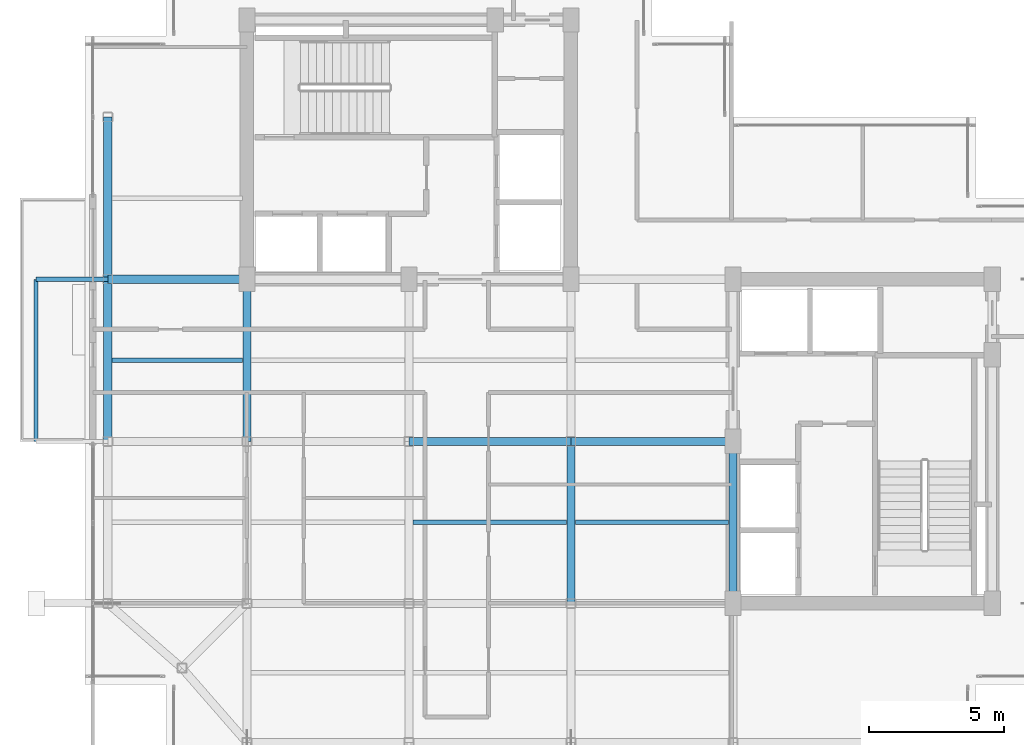
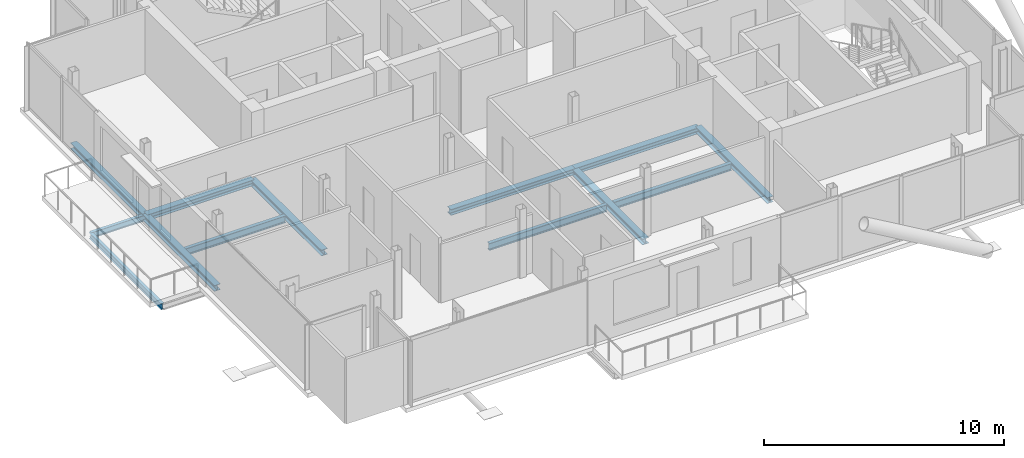
# One storey, part 6 of 18: 13 beams.
"""IFC4 building model written with IfcOpenShell, lengths in metres."""

from ifc_helpers import new_model, si_unit, direction, frame, origin, origin_2d, place, context, subcontext, project, spatial, i_section, extrude, material, material_profile, profile_set, type_object, element, save


model = new_model("IFC4")

# Units and contexts
model_context = context("Model", 3, precision=1e-05, world=origin(), true_north=direction((0.0, 1.0)))
body_context = subcontext(model_context, "Body", "Model", "MODEL_VIEW")
ifc_project = project(units=[si_unit("LENGTHUNIT", "METRE"), si_unit("AREAUNIT", "SQUARE_METRE"), si_unit("VOLUMEUNIT", "CUBIC_METRE"), si_unit("PLANEANGLEUNIT", "RADIAN"), si_unit("MASSUNIT", "GRAM", prefix="KILO"), si_unit("THERMODYNAMICTEMPERATUREUNIT", "KELVIN"), si_unit("POWERUNIT", "WATT")], contexts=[model_context])

# Site, building, storey
site_placement = place(None, origin())
site = spatial("IfcSite", under=ifc_project, at=site_placement, CompositionType="ELEMENT")
building_placement = place(site_placement, origin())
building = spatial("IfcBuilding", under=site, at=building_placement, Name="Svarakhadi Broadcast Tower", CompositionType="ELEMENT")
storey_placement = place(building_placement, frame((0.0, 0.0, 264.199951171875)))
storey = spatial("IfcBuildingStorey", under=building, at=storey_placement, Name="L66", CompositionType="ELEMENT", Elevation=264.199951171875)

# Beams
ifc_material = material(Name="Steel S355J2 (IS 2062 E350C)", Category="steel")
ifc_material_profile_1 = material_profile(ifc_material, i_section(OverallWidth=0.169921875, OverallDepth=0.360107421875, WebThickness=0.008056640625, FlangeThickness=0.0126953125, FilletRadius=0.01806640625, at=origin_2d()), Name="NPB 360x170x57")
ifc_profile_set_1 = profile_set([ifc_material_profile_1], Name="Steel S355J2 (IS 2062 E350C)")
beam_type_1 = type_object("IfcBeamType", Name="Beam_NPB360", PredefinedType="BEAM", material=ifc_profile_set_1)
beam_1_placement = place(storey_placement, frame((1.010009765625, 15.0, -0.3798828125), z_axis=(1.0, 0.0, 0.0), x_axis=(0.0, 1.0, 0.0)))
element("IfcBeam", 1, at=beam_1_placement, inside=storey, type_object=beam_type_1, Name="L66 Secondary Composite Beam SB002", PredefinedType="BEAM", context=body_context, shape_type="SweptSolid", body=[
    extrude(i_section(OverallWidth=0.169921875, OverallDepth=0.360107421875, WebThickness=0.008056640625, FlangeThickness=0.0126953125, FilletRadius=0.01806640625, at=origin_2d()), origin(), (0.0, 0.0, 1.0), 4.830078125),
])
for number, where, z_axis, x_axis, name in (
    (2, (12.159912109375, 9.0, -0.3798828125), (1.0, 0.0, 0.0), (0.0, 1.0, 0.0), "L66 Secondary Composite Beam SB008"),
    (3, (18.159912109375, 9.0, -0.3798828125), (1.0, 0.0, 0.0), (0.0, 1.0, 0.0), "L66 Secondary Composite Beam SB011"),
):
    element("IfcBeam", number, at=place(storey_placement, frame(where, z_axis=z_axis, x_axis=x_axis)), inside=storey, type_object=beam_type_1, Name=name, PredefinedType="BEAM", context=body_context, shape_type="SweptSolid", body=[
        extrude(i_section(OverallWidth=0.169921875, OverallDepth=0.360107421875, WebThickness=0.008056640625, FlangeThickness=0.0126953125, FilletRadius=0.01806640625, at=origin_2d()), origin(), (0.0, 0.0, 1.0), 5.68017578125),
    ])
ifc_material_profile_2 = material_profile(ifc_material, i_section(OverallWidth=0.300048828125, OverallDepth=0.300048828125, WebThickness=0.010986328125, FlangeThickness=0.01904296875, FilletRadius=0.027099609375, at=origin_2d()), Name="WPB 300x300x117")
ifc_profile_set_2 = profile_set([ifc_material_profile_2], Name="Steel S355J2 (IS 2062 E350C)")
beam_type_2 = type_object("IfcBeamType", Name="Girder_WPB300", PredefinedType="USERDEFINED", material=ifc_profile_set_2)
for number, where, z_axis, x_axis, name in (
    (4, (12.0, 12.0, -0.349853515625), (1.0, 0.0, 0.0), (0.0, 1.0, 0.0), "L66 Primary E-W Girder G015"),
    (5, (18.0, 12.0, -0.349853515625), (1.0, 0.0, 0.0), (0.0, 1.0, 0.0), "L66 Primary E-W Girder G016"),
):
    element("IfcBeam", number, at=place(storey_placement, frame(where, z_axis=z_axis, x_axis=x_axis)), inside=storey, type_object=beam_type_2, Name=name, ObjectType="GIRDER", PredefinedType="USERDEFINED", context=body_context, shape_type="SweptSolid", body=[
        extrude(i_section(OverallWidth=0.300048828125, OverallDepth=0.300048828125, WebThickness=0.010986328125, FlangeThickness=0.01904296875, FilletRadius=0.027099609375, at=origin_2d()), origin(), (0.0, 0.0, 1.0), 6.0),
    ])
beam_2_placement = place(storey_placement, frame((0.85009765625, 18.0, -0.349853515625), z_axis=(1.0, 0.0, 0.0), x_axis=(0.0, 1.0, 0.0)))
element("IfcBeam", 6, at=beam_2_placement, inside=storey, type_object=beam_type_2, Name="L66 Primary E-W Girder G017", ObjectType="GIRDER", PredefinedType="USERDEFINED", context=body_context, shape_type="SweptSolid", body=[
    extrude(i_section(OverallWidth=0.300048828125, OverallDepth=0.300048828125, WebThickness=0.010986328125, FlangeThickness=0.01904296875, FilletRadius=0.027099609375, at=origin_2d()), origin(), (0.0, 0.0, 1.0), 5.14990234375),
])
for number, where, z_axis, x_axis, name in (
    (7, (0.85009765625, 12.0, -0.349853515625), (0.0, 1.0, 0.0), (-1.0, 0.0, 0.0), "L66 Primary N-S Girder G027"),
    (8, (0.85009765625, 18.0, -0.349853515625), (0.0, 1.0, 0.0), (-1.0, 0.0, 0.0), "L66 Primary N-S Girder G028"),
    (9, (6.0, 12.0, -0.349853515625), (0.0, 1.0, 0.0), (-1.0, 0.0, 0.0), "L66 Primary N-S Girder G031"),
    (10, (18.0, 6.0, -0.349853515625), (0.0, 1.0, 0.0), (-1.0, 0.0, 0.0), "L66 Primary N-S Girder G037"),
    (11, (24.0, 6.0, -0.349853515625), (0.0, 1.0, 0.0), (-1.0, 0.0, 0.0), "L66 Primary N-S Girder G041"),
):
    element("IfcBeam", number, at=place(storey_placement, frame(where, z_axis=z_axis, x_axis=x_axis)), inside=storey, type_object=beam_type_2, Name=name, ObjectType="GIRDER", PredefinedType="USERDEFINED", context=body_context, shape_type="SweptSolid", body=[
        extrude(i_section(OverallWidth=0.300048828125, OverallDepth=0.300048828125, WebThickness=0.010986328125, FlangeThickness=0.01904296875, FilletRadius=0.027099609375, at=origin_2d()), origin(), (0.0, 0.0, 1.0), 6.0),
    ])
ifc_material_profile_3 = material_profile(ifc_material, i_section(OverallWidth=0.14990234375, OverallDepth=0.300048828125, WebThickness=0.007080078125, FlangeThickness=0.0107421875, FilletRadius=0.014892578125, at=origin_2d()), Name="NPB 300x150x37")
ifc_profile_set_3 = profile_set([ifc_material_profile_3], Name="Steel S355J2 (IS 2062 E350C)")
beam_type_3 = type_object("IfcBeamType", Name="Spandrel_NPB300", PredefinedType="SPANDREL", material=ifc_profile_set_3)
beam_3_placement = place(storey_placement, frame((0.85009765625, 18.0, -0.375), z_axis=(-1.0, 0.0, 0.0), x_axis=(0.0, -1.0, 0.0)))
element("IfcBeam", 12, at=beam_3_placement, inside=storey, type_object=beam_type_3, Name="L66 Balcony Cantilever Bracket 2B", PredefinedType="SPANDREL", context=body_context, shape_type="SweptSolid", body=[
    extrude(i_section(OverallWidth=0.14990234375, OverallDepth=0.300048828125, WebThickness=0.007080078125, FlangeThickness=0.0107421875, FilletRadius=0.014892578125, at=origin_2d()), origin(), (0.0, 0.0, 1.0), 2.650146484375),
])
beam_4_placement = place(storey_placement, frame((-1.800048828125, 12.0, -0.375), z_axis=(0.0, 1.0, 0.0), x_axis=(-1.0, 0.0, 0.0)))
element("IfcBeam", 13, at=beam_4_placement, inside=storey, type_object=beam_type_3, Name="L66 Balcony Outer Spandrel 2F", PredefinedType="SPANDREL", context=body_context, shape_type="SweptSolid", body=[
    extrude(i_section(OverallWidth=0.14990234375, OverallDepth=0.300048828125, WebThickness=0.007080078125, FlangeThickness=0.0107421875, FilletRadius=0.014892578125, at=origin_2d()), origin(), (0.0, 0.0, 1.0), 6.0),
])

save(model, "model.ifc")
